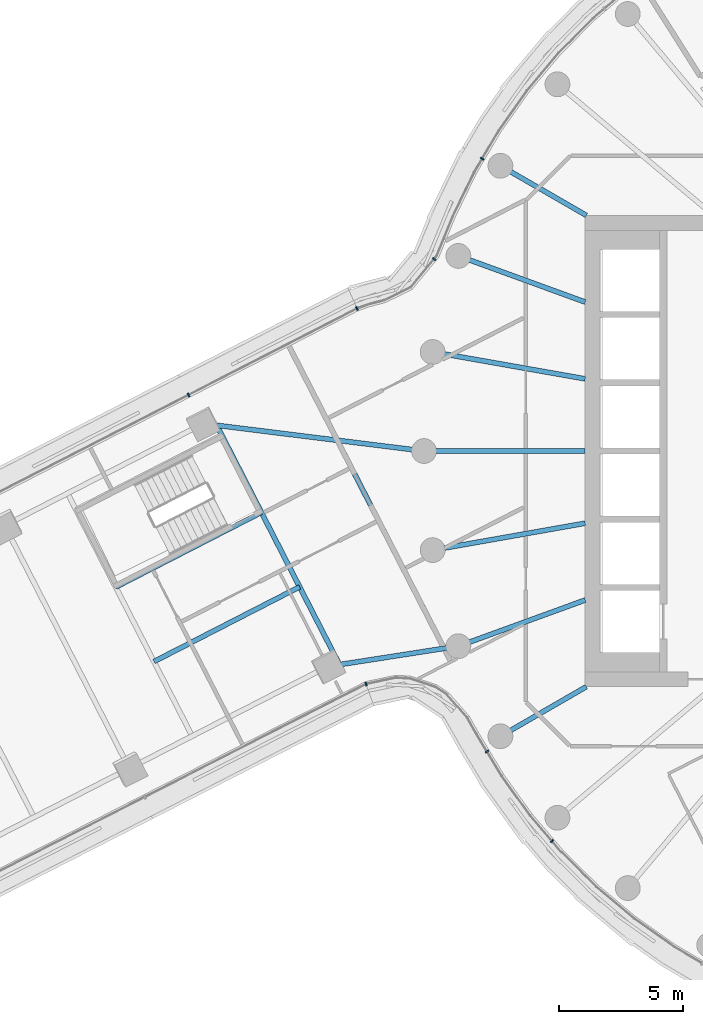
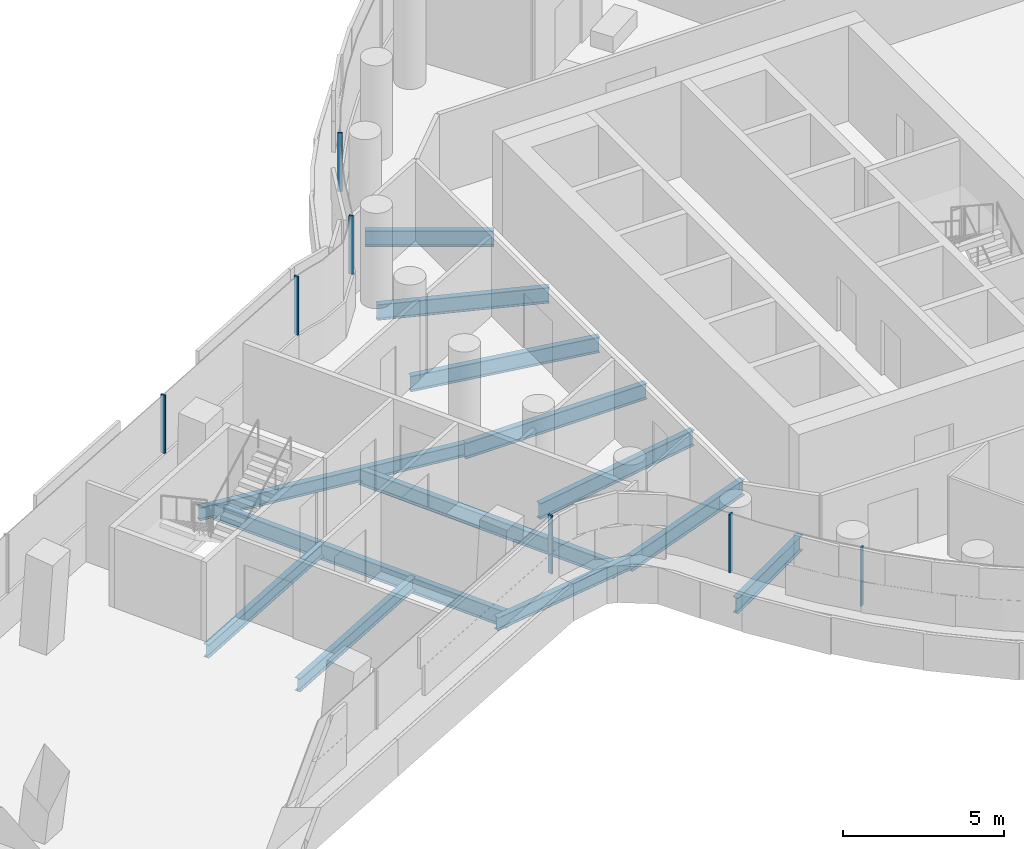
# One storey, part 8 of 37: 13 beams, 7 members, 3 elements without a shape of their own.
"""IFC4 building model written with IfcOpenShell, lengths in metres."""

from ifc_helpers import new_model, si_unit, direction, frame, origin, origin_2d, place, context, subcontext, project, spatial, rectangle, i_section, extrude, material, layer, layer_set, material_profile, profile_set, type_object, element, aggregate, save


model = new_model("IFC4")

# Units and contexts
model_context = context("Model", 3, precision=1e-05, world=origin(), true_north=direction((0.0, 1.0)))
body_context = subcontext(model_context, "Body", "Model", "MODEL_VIEW")
ifc_project = project(units=[si_unit("LENGTHUNIT", "METRE"), si_unit("AREAUNIT", "SQUARE_METRE"), si_unit("VOLUMEUNIT", "CUBIC_METRE"), si_unit("PLANEANGLEUNIT", "RADIAN"), si_unit("MASSUNIT", "GRAM", prefix="KILO")], contexts=[model_context])

# Site, building, storey
site_placement = place(None, origin())
site = spatial("IfcSite", under=ifc_project, at=site_placement, CompositionType="ELEMENT")
building_placement = place(site_placement, origin())
building = spatial("IfcBuilding", under=site, at=building_placement, Name="Tamarind Cross Interchange Tower", CompositionType="ELEMENT")
storey_placement = place(building_placement, frame((0.0, 0.0, 133.0)))
storey = spatial("IfcBuildingStorey", under=building, at=storey_placement, Name="L32", CompositionType="ELEMENT", Elevation=133.0)

# Beams
ifc_material_1 = material(Name="Steel Q355B", Category="steel")
ifc_material_profile_1 = material_profile(ifc_material_1, i_section(OverallWidth=0.198974609375, OverallDepth=0.49609375, WebThickness=0.009033203125, FlangeThickness=0.013916015625, FilletRadius=0.012939453125, at=origin_2d()), Name="HN 496x199x9x14")
ifc_profile_set_1 = profile_set([ifc_material_profile_1], Name="Steel Q355B")
beam_type_1 = type_object("IfcBeamType", Name="Composite beam HN 496x199x9x14 Q355B", PredefinedType="BEAM", material=ifc_profile_set_1)
beam_1_placement = place(storey_placement, frame((-31.8955078125, 1.10400390625, -0.387939453125), z_axis=(0.992386439651, -0.123163121092, 0.0), x_axis=(0.123163121092, 0.992386439651, 0.0)))
element("IfcBeam", 1, at=beam_1_placement, inside=storey, type_object=beam_type_1, Name="Beam W-linkem", PredefinedType="BEAM", context=body_context, shape_type="SweptSolid", body=[
    extrude(i_section(OverallWidth=0.198974609375, OverallDepth=0.49609375, WebThickness=0.009033203125, FlangeThickness=0.013916015625, FilletRadius=0.012939453125, at=origin_2d()), origin(), (0.0, 0.0, 1.0), 8.9638671875),
])
beam_2_placement = place(storey_placement, frame((-26.87353515625, -8.6826171875, -0.387939453125), z_axis=(0.988177377662, 0.153314938206, 0.0), x_axis=(-0.153314938206, 0.988177377662, 0.0)))
element("IfcBeam", 2, at=beam_2_placement, inside=storey, type_object=beam_type_1, Name="Beam W-linkep", PredefinedType="BEAM", context=body_context, shape_type="SweptSolid", body=[
    extrude(i_section(OverallWidth=0.198974609375, OverallDepth=0.49609375, WebThickness=0.009033203125, FlangeThickness=0.013916015625, FilletRadius=0.012939453125, at=origin_2d()), origin(), (0.0, 0.0, 1.0), 5.323486328125),
])
beam_3_placement = place(storey_placement, frame((-29.554931640625, -2.471923828125, -0.387939453125), z_axis=(-0.889694958501, -0.456555452073, 0.0), x_axis=(0.456555452073, -0.889694958501, 0.0)))
element("IfcBeam", 3, at=beam_3_placement, inside=storey, type_object=beam_type_1, Name="Beam W-tr1", PredefinedType="BEAM", context=body_context, shape_type="SweptSolid", body=[
    extrude(i_section(OverallWidth=0.198974609375, OverallDepth=0.49609375, WebThickness=0.009033203125, FlangeThickness=0.013916015625, FilletRadius=0.012939453125, at=origin_2d()), origin(), (0.0, 0.0, 1.0), 6.599853515625),
])
beam_4_placement = place(storey_placement, frame((-28.013916015625, -5.474609375, -0.387939453125), z_axis=(-0.889702668843, -0.456540426528, 0.0), x_axis=(0.456540426528, -0.889702668843, 0.0)))
element("IfcBeam", 4, at=beam_4_placement, inside=storey, type_object=beam_type_1, Name="Beam W-stripp", PredefinedType="BEAM", context=body_context, shape_type="SweptSolid", body=[
    extrude(i_section(OverallWidth=0.198974609375, OverallDepth=0.49609375, WebThickness=0.009033203125, FlangeThickness=0.013916015625, FilletRadius=0.012939453125, at=origin_2d()), origin(), (0.0, 0.0, 1.0), 6.60009765625),
])
ifc_material_profile_2 = material_profile(ifc_material_1, i_section(OverallWidth=0.198974609375, OverallDepth=0.595947265625, WebThickness=0.010009765625, FlangeThickness=0.014892578125, FilletRadius=0.012939453125, at=origin_2d()), Name="HN 596x199x10x15")
ifc_profile_set_2 = profile_set([ifc_material_profile_2], Name="Steel Q355B")
beam_type_2 = type_object("IfcBeamType", Name="Composite beam HN 596x199x10x15 Q355B", PredefinedType="BEAM", material=ifc_profile_set_2)
beam_5_placement = place(storey_placement, frame((-19.918701171875, 11.5, -0.43798828125), z_axis=(0.866026010844, -0.49999894854, 0.0), x_axis=(0.49999894854, 0.866026010844, 0.0)))
element("IfcBeam", 5, at=beam_5_placement, inside=storey, type_object=beam_type_2, Name="Beam HH15", PredefinedType="BEAM", context=body_context, shape_type="SweptSolid", body=[
    extrude(i_section(OverallWidth=0.198974609375, OverallDepth=0.595947265625, WebThickness=0.010009765625, FlangeThickness=0.014892578125, FilletRadius=0.012939453125, at=origin_2d()), origin(), (0.0, 0.0, 1.0), 4.0),
])
beam_6_placement = place(storey_placement, frame((-21.613037109375, 7.866455078125, -0.43798828125), z_axis=(0.939701685589, -0.341995236956, 0.0), x_axis=(0.341995236956, 0.939701685589, 0.0)))
element("IfcBeam", 6, at=beam_6_placement, inside=storey, type_object=beam_type_2, Name="Beam HH16", PredefinedType="BEAM", context=body_context, shape_type="SweptSolid", body=[
    extrude(i_section(OverallWidth=0.198974609375, OverallDepth=0.595947265625, WebThickness=0.010009765625, FlangeThickness=0.014892578125, FilletRadius=0.012939453125, at=origin_2d()), origin(), (0.0, 0.0, 1.0), 5.441162109375),
])
beam_7_placement = place(storey_placement, frame((-22.650634765625, 3.993896484375, -0.43798828125), z_axis=(0.984809127561, -0.173640382036, 0.0), x_axis=(0.173640382036, 0.984809127561, 0.0)))
element("IfcBeam", 7, at=beam_7_placement, inside=storey, type_object=beam_type_2, Name="Beam HH17", PredefinedType="BEAM", context=body_context, shape_type="SweptSolid", body=[
    extrude(i_section(OverallWidth=0.198974609375, OverallDepth=0.595947265625, WebThickness=0.010009765625, FlangeThickness=0.014892578125, FilletRadius=0.012939453125, at=origin_2d()), origin(), (0.0, 0.0, 1.0), 6.24560546875),
])
beam_8_placement = place(storey_placement, frame((-23.0, 0.0, -0.43798828125), z_axis=(1.0, 0.0, 0.0), x_axis=(0.0, 1.0, 0.0)))
element("IfcBeam", 8, at=beam_8_placement, inside=storey, type_object=beam_type_2, Name="Beam HH18", PredefinedType="BEAM", context=body_context, shape_type="SweptSolid", body=[
    extrude(i_section(OverallWidth=0.198974609375, OverallDepth=0.595947265625, WebThickness=0.010009765625, FlangeThickness=0.014892578125, FilletRadius=0.012939453125, at=origin_2d()), origin(), (0.0, 0.0, 1.0), 6.5),
])
beam_9_placement = place(storey_placement, frame((-22.650634765625, -3.993896484375, -0.43798828125), z_axis=(0.984809127561, 0.173640382036, 0.0), x_axis=(-0.173640382036, 0.984809127561, 0.0)))
element("IfcBeam", 9, at=beam_9_placement, inside=storey, type_object=beam_type_2, Name="Beam HH19", PredefinedType="BEAM", context=body_context, shape_type="SweptSolid", body=[
    extrude(i_section(OverallWidth=0.198974609375, OverallDepth=0.595947265625, WebThickness=0.010009765625, FlangeThickness=0.014892578125, FilletRadius=0.012939453125, at=origin_2d()), origin(), (0.0, 0.0, 1.0), 6.24560546875),
])
beam_10_placement = place(storey_placement, frame((-21.613037109375, -7.866455078125, -0.43798828125), z_axis=(0.939701685589, 0.341995236956, 0.0), x_axis=(-0.341995236956, 0.939701685589, 0.0)))
element("IfcBeam", 10, at=beam_10_placement, inside=storey, type_object=beam_type_2, Name="Beam HH20", PredefinedType="BEAM", context=body_context, shape_type="SweptSolid", body=[
    extrude(i_section(OverallWidth=0.198974609375, OverallDepth=0.595947265625, WebThickness=0.010009765625, FlangeThickness=0.014892578125, FilletRadius=0.012939453125, at=origin_2d()), origin(), (0.0, 0.0, 1.0), 5.441162109375),
])
beam_11_placement = place(storey_placement, frame((-19.918701171875, -11.5, -0.43798828125), z_axis=(0.866026010844, 0.49999894854, 0.0), x_axis=(-0.49999894854, 0.866026010844, 0.0)))
element("IfcBeam", 11, at=beam_11_placement, inside=storey, type_object=beam_type_2, Name="Beam HH21", PredefinedType="BEAM", context=body_context, shape_type="SweptSolid", body=[
    extrude(i_section(OverallWidth=0.198974609375, OverallDepth=0.595947265625, WebThickness=0.010009765625, FlangeThickness=0.014892578125, FilletRadius=0.012939453125, at=origin_2d()), origin(), (0.0, 0.0, 1.0), 4.0),
])
ifc_material_profile_3 = material_profile(ifc_material_1, i_section(OverallWidth=0.199951171875, OverallDepth=0.60009765625, WebThickness=0.010986328125, FlangeThickness=0.01708984375, FilletRadius=0.012939453125, at=origin_2d()), Name="HN 600x200x11x17")
ifc_profile_set_3 = profile_set([ifc_material_profile_3], Name="Steel Q355B")
beam_type_3 = type_object("IfcBeamType", Name="Composite beam HN 600x200x11x17 Q355B", PredefinedType="BEAM", material=ifc_profile_set_3)
beam_12_placement = place(storey_placement, frame((-31.355224609375, 1.036865234375, -0.43994140625), z_axis=(0.456537880363, -0.889703975373, 0.0), x_axis=(0.889703975373, 0.456537880363, 0.0)))
element("IfcBeam", 12, at=beam_12_placement, inside=storey, type_object=beam_type_3, Name="Beam W-x298", PredefinedType="BEAM", context=body_context, shape_type="SweptSolid", body=[
    extrude(i_section(OverallWidth=0.199951171875, OverallDepth=0.60009765625, WebThickness=0.010986328125, FlangeThickness=0.01708984375, FilletRadius=0.012939453125, at=origin_2d()), origin(), (0.0, 0.0, 1.0), 10.843017578125),
])
beam_13_placement = place(storey_placement, frame((-26.49365234375, 0.43359375, -0.43994140625), z_axis=(0.456561577057, -0.88969181538, 0.0), x_axis=(0.88969181538, 0.456561577057, 0.0)))
element("IfcBeam", 13, at=beam_13_placement, inside=storey, type_object=beam_type_3, Name="Beam W-x258", PredefinedType="BEAM", context=body_context, shape_type="SweptSolid", body=[
    extrude(i_section(OverallWidth=0.199951171875, OverallDepth=0.60009765625, WebThickness=0.010986328125, FlangeThickness=0.01708984375, FilletRadius=0.012939453125, at=origin_2d()), origin(), (0.0, 0.0, 1.0), 9.429443359375),
])

# Curtain wall, members
ifc_material_2 = material(Name="Aluminium 6063-T6", Category="aluminium")
ifc_layer_1 = layer(ifc_material_2, 0.159912109375)
ifc_layer_set_1 = layer_set([ifc_layer_1], Name="Aluminium 6063-T6")
curtain_wall_type_1 = type_object("IfcCurtainWallType", Name="Office curtain wall, 9.0 m bays", PredefinedType="NOTDEFINED", material=ifc_layer_set_1)
curtain_wall_1_placement = place(storey_placement, origin())
curtain_wall_1 = element("IfcCurtainWall", 14, at=curtain_wall_1_placement, inside=storey, type_object=curtain_wall_type_1, Name="CWS-L32-15", PredefinedType="NOTDEFINED")
ifc_material_profile_4 = material_profile(ifc_material_2, rectangle(XDim=0.06005859375, YDim=0.159912109375, at=origin_2d()), Name="Mullion CW1")
ifc_profile_set_4 = profile_set([ifc_material_profile_4], Name="Aluminium 6063-T6")
member_type_1 = type_object("IfcMemberType", Name="Mullion CW1", PredefinedType="MULLION", material=ifc_profile_set_4)
member_1_placement = place(storey_placement, frame((-25.701904296875, 5.743408203125, 1.39990234375), z_axis=(0.0, 0.0, 1.0), x_axis=(-0.9176520083, -0.397384941414, 0.0)))
member_1 = element("IfcMember", 15, at=member_1_placement, type_object=member_type_1, Name="CWM-L32-15-00", PredefinedType="MULLION", context=body_context, shape_type="SweptSolid", body=[
    extrude(rectangle(XDim=0.06005859375, YDim=0.159912109375, at=origin_2d()), origin(), (0.0, 0.0, 1.0), 2.210205078125),
])
member_2_placement = place(storey_placement, frame((-32.48974609375, 2.26025390625, 1.39990234375), z_axis=(0.0, 0.0, 1.0), x_axis=(-0.889697026233, -0.456551422638, 0.0)))
member_2 = element("IfcMember", 16, at=member_2_placement, type_object=member_type_1, Name="CWM-L32-15-01", PredefinedType="MULLION", context=body_context, shape_type="SweptSolid", body=[
    extrude(rectangle(XDim=0.06005859375, YDim=0.159912109375, at=origin_2d()), origin(), (0.0, 0.0, 1.0), 2.210205078125),
])
aggregate(curtain_wall_1, [member_1, member_2])

ifc_layer_2 = layer(ifc_material_2, 0.14990234375)
ifc_layer_set_2 = layer_set([ifc_layer_2], Name="Aluminium 6063-T6")
curtain_wall_type_2 = type_object("IfcCurtainWallType", Name="Winter garden and crown curtain wall", PredefinedType="NOTDEFINED", material=ifc_layer_set_2)
curtain_wall_2_placement = place(storey_placement, origin())
curtain_wall_2 = element("IfcCurtainWall", 17, at=curtain_wall_2_placement, inside=storey, type_object=curtain_wall_type_2, Name="CWS-L32-02", PredefinedType="NOTDEFINED")
ifc_material_profile_5 = material_profile(ifc_material_2, rectangle(XDim=0.06005859375, YDim=0.14990234375, at=origin_2d()), Name="Mullion CW6")
ifc_profile_set_5 = profile_set([ifc_material_profile_5], Name="Aluminium 6063-T6")
member_type_2 = type_object("IfcMemberType", Name="Mullion CW6", PredefinedType="MULLION", material=ifc_profile_set_5)
member_3_placement = place(storey_placement, frame((-25.334716796875, -9.393310546875, 1.39990234375), z_axis=(0.0, 0.0, 1.0), x_axis=(0.942540956309, 0.334090624951, 0.0)))
member_3 = element("IfcMember", 18, at=member_3_placement, type_object=member_type_2, Name="CWM-L32-02-00", PredefinedType="MULLION", context=body_context, shape_type="SweptSolid", body=[
    extrude(rectangle(XDim=0.06005859375, YDim=0.14990234375, at=origin_2d()), origin(), (0.0, 0.0, 1.0), 2.210205078125),
])
member_4_placement = place(storey_placement, frame((-20.458984375, -12.11328125, 1.39990234375), z_axis=(0.0, 0.0, 1.0), x_axis=(0.515577308909, -0.856843065292, 0.0)))
member_4 = element("IfcMember", 19, at=member_4_placement, type_object=member_type_2, Name="CWM-L32-02-01", PredefinedType="MULLION", context=body_context, shape_type="SweptSolid", body=[
    extrude(rectangle(XDim=0.06005859375, YDim=0.14990234375, at=origin_2d()), origin(), (0.0, 0.0, 1.0), 2.210205078125),
])
member_5_placement = place(storey_placement, frame((-17.83740234375, -15.7236328125, 1.39990234375), z_axis=(0.0, 0.0, 1.0), x_axis=(0.64957723968, -0.760295606781, 0.0)))
member_5 = element("IfcMember", 20, at=member_5_placement, type_object=member_type_2, Name="CWM-L32-02-02", PredefinedType="MULLION", context=body_context, shape_type="SweptSolid", body=[
    extrude(rectangle(XDim=0.06005859375, YDim=0.14990234375, at=origin_2d()), origin(), (0.0, 0.0, 1.0), 2.210205078125),
])
aggregate(curtain_wall_2, [member_3, member_4, member_5])

curtain_wall_3_placement = place(storey_placement, origin())
curtain_wall_3 = element("IfcCurtainWall", 21, at=curtain_wall_3_placement, inside=storey, type_object=curtain_wall_type_2, Name="CWS-L32-14", PredefinedType="NOTDEFINED")
member_6_placement = place(storey_placement, frame((-20.65234375, 11.784423828125, 1.39990234375), z_axis=(0.0, 0.0, 1.0), x_axis=(-0.508183308752, -0.861248933065, 0.0)))
member_6 = element("IfcMember", 22, at=member_6_placement, type_object=member_type_2, Name="CWM-L32-14-03", PredefinedType="MULLION", context=body_context, shape_type="SweptSolid", body=[
    extrude(rectangle(XDim=0.06005859375, YDim=0.14990234375, at=origin_2d()), origin(), (0.0, 0.0, 1.0), 2.210205078125),
])
member_7_placement = place(storey_placement, frame((-22.592041015625, 7.736572265625, 1.39990234375), z_axis=(0.0, 0.0, 1.0), x_axis=(-0.639426054821, -0.768852599928, 0.0)))
member_7 = element("IfcMember", 23, at=member_7_placement, type_object=member_type_2, Name="CWM-L32-14-04", PredefinedType="MULLION", context=body_context, shape_type="SweptSolid", body=[
    extrude(rectangle(XDim=0.06005859375, YDim=0.14990234375, at=origin_2d()), origin(), (0.0, 0.0, 1.0), 2.210205078125),
])
aggregate(curtain_wall_3, [member_6, member_7])

save(model, "model.ifc")
